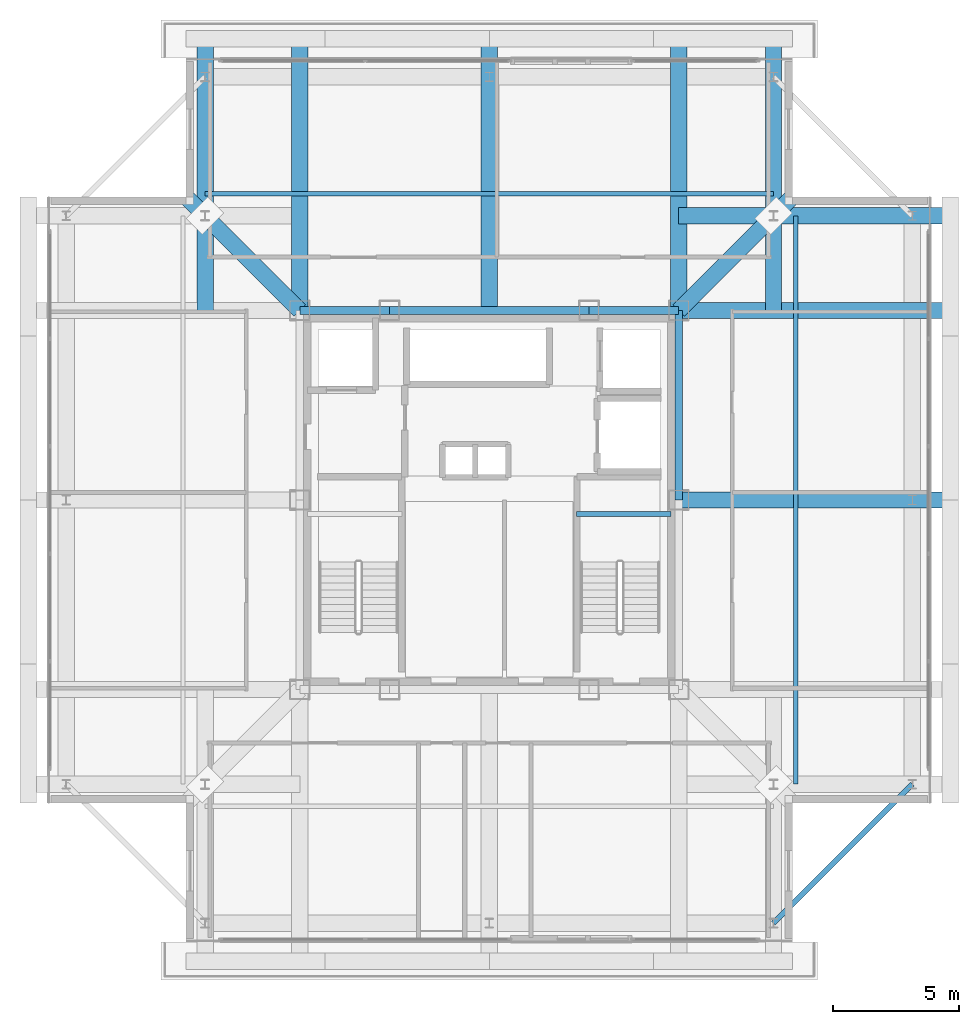
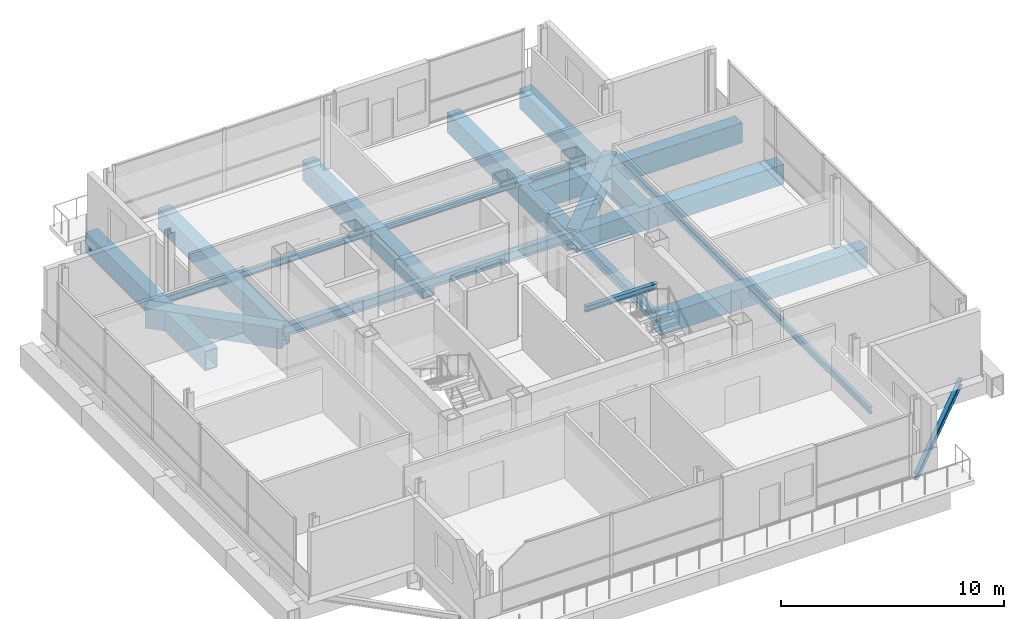
# One storey, part 5 of 15: 18 beams.
"""IFC4 building model written with IfcOpenShell, lengths in metres."""

import ifcopenshell
import ifcopenshell.guid

model = None  # the IFC model being written
_history = None  # IfcOwnerHistory: only IFC2X3 demands one
_inside = {}  # id of a spatial element -> (the spatial element, [elements in it])
_under = {}  # id of a project, library or spatial element -> (it, [spatial elements below it])
_declared = {}  # id of a project -> (the project, [libraries it declares])
_typed = {}  # id of a type object -> (the type object, [elements of that type])
_made_of = {}  # id of a material, layer set ... -> (it, [elements and type objects made of it])


def new_model(schema):
    """Start an empty IFC model of exactly this schema.

    Asked for "IFC4X3", IfcOpenShell would pick the latest addendum, in which some entities
    have other attributes; the version numbers below select the first issue.
    IFC2X3 requires an IfcOwnerHistory on every rooted entity: one is made here for all.
    """
    global model, _history
    if schema == "IFC4X3":
        model = ifcopenshell.file(schema_version=(4, 3, 0, 0))
    else:
        model = ifcopenshell.file(schema=schema)
    _inside.clear()
    _under.clear()
    _declared.clear()
    _typed.clear()
    _made_of.clear()
    _history = None
    if model.schema == "IFC2X3":
        org = make("IfcOrganization", Name="unknown")
        user = make(
            "IfcPersonAndOrganization",
            ThePerson=make("IfcPerson", FamilyName="unknown"),
            TheOrganization=org,
        )
        app = make(
            "IfcApplication",
            ApplicationDeveloper=org,
            Version="unknown",
            ApplicationFullName="unknown",
            ApplicationIdentifier="unknown",
        )
        _history = make(
            "IfcOwnerHistory",
            OwningUser=user,
            OwningApplication=app,
            ChangeAction="ADDED",
            CreationDate=0,
        )
    return model


def make(cls, **values):
    """One entity of the class cls with the attributes given. An attribute that is None is left unset."""
    return model.create_entity(
        cls, **{name: value for name, value in values.items() if value is not None}
    )


def rooted(cls, **values):
    """An entity with a GlobalId (a new one), such as an element, a storey or a relation."""
    return make(cls, GlobalId=ifcopenshell.guid.new(), OwnerHistory=_history, **values)


def si_unit(unit_type, name, prefix=None):
    """IfcSIUnit, for example si_unit("LENGTHUNIT", "METRE", prefix="MILLI")."""
    return make("IfcSIUnit", UnitType=unit_type, Prefix=prefix, Name=name)


def assignment(units):
    """IfcUnitAssignment: the units of a project."""
    return None if units is None else make("IfcUnitAssignment", Units=units)


def point(xyz):
    """IfcCartesianPoint."""
    return None if xyz is None else make("IfcCartesianPoint", Coordinates=xyz)


def direction(xyz):
    """IfcDirection."""
    return None if xyz is None else make("IfcDirection", DirectionRatios=xyz)


def frame(location, z_axis=None, x_axis=None):
    """IfcAxis2Placement3D, a coordinate frame: its origin and axes. An axis left out is left unset."""
    return make(
        "IfcAxis2Placement3D",
        Location=point(location),
        Axis=direction(z_axis),
        RefDirection=direction(x_axis),
    )


def frame_2d(location, x_axis=None):
    """IfcAxis2Placement2D, a coordinate frame in the plane: its origin and x axis."""
    return make(
        "IfcAxis2Placement2D", Location=point(location), RefDirection=direction(x_axis)
    )


def origin():
    """The frame at (0, 0, 0) with its axes left unset."""
    return frame((0.0, 0.0, 0.0))


def origin_2d():
    """The frame at (0, 0) in the plane with its x axis left unset."""
    return frame_2d((0.0, 0.0))


def place(relative_to, where):
    """IfcLocalPlacement: puts the frame where relative to a parent placement (None: the world)."""
    return make(
        "IfcLocalPlacement", PlacementRelTo=relative_to, RelativePlacement=where
    )


def context(
    kind, dimensions, precision=None, world=None, true_north=None, identifier=None
):
    """IfcGeometricRepresentationContext, for example the 3D "Model" context."""
    return make(
        "IfcGeometricRepresentationContext",
        ContextIdentifier=identifier,
        ContextType=kind,
        CoordinateSpaceDimension=dimensions,
        Precision=precision,
        WorldCoordinateSystem=world,
        TrueNorth=true_north,
    )


def subcontext(parent, identifier, kind, view, scale=None):
    """IfcGeometricRepresentationSubContext, for example "Body" below "Model"."""
    return make(
        "IfcGeometricRepresentationSubContext",
        ContextIdentifier=identifier,
        ContextType=kind,
        ParentContext=parent,
        TargetScale=scale,
        TargetView=view,
    )


def project(units=None, contexts=None):
    """IfcProject with its units and contexts."""
    return rooted(
        "IfcProject",
        Name="project",
        RepresentationContexts=contexts,
        UnitsInContext=assignment(units),
    )


def spatial(cls, under=None, at=None, **own):
    """A site, building, storey or space (cls), placed at a placement, below another one or the project."""
    s = rooted(cls, ObjectPlacement=at, **own)
    if under is not None:
        _under.setdefault(under.id(), (under, []))[1].append(s)
    return s


def profile(cls, at=None, kind="AREA", **sizes):
    """A parametric profile (cls). Its sizes go by their IFC names, for example OverallWidth=200.0."""
    return make(cls, ProfileType=kind, Position=at, **sizes)


def hollow_rectangle(**sizes):
    """IfcRectangleHollowProfileDef."""
    return profile("IfcRectangleHollowProfileDef", **sizes)


def i_section(**sizes):
    """IfcIShapeProfileDef."""
    return profile("IfcIShapeProfileDef", **sizes)


def extrude(swept, where, along, depth):
    """IfcExtrudedAreaSolid: the profile swept, set in the frame where, extruded along a direction by depth."""
    return make(
        "IfcExtrudedAreaSolid",
        SweptArea=swept,
        Position=where,
        ExtrudedDirection=direction(along),
        Depth=depth,
    )


def shape(context_of_items, identifier, shape_type, items):
    """IfcShapeRepresentation: the items that make up one representation, for example the "Body"."""
    return make(
        "IfcShapeRepresentation",
        ContextOfItems=context_of_items,
        RepresentationIdentifier=identifier,
        RepresentationType=shape_type,
        Items=items,
    )


def material(Name=None, Category=None):
    """IfcMaterial."""
    return make("IfcMaterial", Name=Name, Category=Category)


def material_profile(
    of_material, cross_section, Name=None, Category=None, Priority=None
):
    """IfcMaterialProfile: a cross section and its material."""
    return make(
        "IfcMaterialProfile",
        Name=Name,
        Material=of_material,
        Profile=cross_section,
        Priority=Priority,
        Category=Category,
    )


def profile_set(profiles, Name=None, composite=None):
    """IfcMaterialProfileSet."""
    return make(
        "IfcMaterialProfileSet",
        Name=Name,
        MaterialProfiles=profiles,
        CompositeProfile=composite,
    )


def made_of(thing, what):
    """Note that an element or type object is made of a material, layer set ...; save() writes the relation."""
    if what is not None:
        _made_of.setdefault(what.id(), (what, []))[1].append(thing)
    return thing


def type_object(cls, material=None, **own):
    """A type object (cls), such as IfcWallType, which elements share."""
    return made_of(rooted(cls, **own), material)


def element(
    cls,
    number,
    at=None,
    inside=None,
    cuts=None,
    type_object=None,
    material=None,
    context=None,
    identifier="Body",
    shape_type=None,
    held_by="IfcProductDefinitionShape",
    body=None,
    shapes=None,
    **own,
):
    """One element of the class cls, such as IfcWall. Its Tag is "e" and its number.

    at: its placement. inside: the storey or other place that contains it. cuts: it is an
    opening in that element (IfcRelVoidsElement). A single representation is given by context,
    identifier, shape_type and body (its items); several are given by shapes. held_by: the class
    of the entity that holds the representations. save() writes the other relations.
    """
    e = rooted(cls, Tag="e%d" % number, ObjectPlacement=at, **own)
    if body is not None:
        shapes = [shape(context, identifier, shape_type, body)]
    if shapes is not None:
        e.Representation = make(held_by, Representations=shapes)
    if inside is not None:
        _inside.setdefault(inside.id(), (inside, []))[1].append(e)
    if cuts is not None:
        rooted(
            "IfcRelVoidsElement", RelatingBuildingElement=cuts, RelatedOpeningElement=e
        )
    if type_object is not None:
        _typed.setdefault(type_object.id(), (type_object, []))[1].append(e)
    return made_of(e, material)


def aggregate(whole, parts):
    """IfcRelAggregates: a whole, such as a stair, and the parts it consists of."""
    return rooted("IfcRelAggregates", RelatingObject=whole, RelatedObjects=parts)


def save(model, path):
    """Write the relations noted so far, then the file.

    IfcRelAggregates (storeys below a building ...), IfcRelContainedInSpatialStructure (elements
    in a storey), IfcRelDefinesByType, IfcRelAssociatesMaterial and IfcRelDeclares: one each for
    every whole, place, type object, material and project.
    """
    for whole, parts in _under.values():
        aggregate(whole, parts)
    for where, things in _inside.values():
        rooted(
            "IfcRelContainedInSpatialStructure",
            RelatedElements=things,
            RelatingStructure=where,
        )
    for kind, things in _typed.values():
        rooted("IfcRelDefinesByType", RelatedObjects=things, RelatingType=kind)
    for what, things in _made_of.values():
        rooted("IfcRelAssociatesMaterial", RelatedObjects=things, RelatingMaterial=what)
    for by, libraries in _declared.values():
        rooted("IfcRelDeclares", RelatingContext=by, RelatedDefinitions=libraries)
    model.write(path)


model = new_model("IFC4")

# Units and contexts
model_context = context("Model", 3, precision=1e-05, world=origin(), true_north=direction((0.0, 1.0)))
body_context = subcontext(model_context, "Body", "Model", "MODEL_VIEW")
ifc_project = project(units=[si_unit("LENGTHUNIT", "METRE"), si_unit("AREAUNIT", "SQUARE_METRE"), si_unit("VOLUMEUNIT", "CUBIC_METRE"), si_unit("PLANEANGLEUNIT", "RADIAN"), si_unit("MASSUNIT", "GRAM", prefix="KILO")], contexts=[model_context])

# Site, building, storey
site_placement = place(None, origin())
site = spatial("IfcSite", under=ifc_project, at=site_placement, CompositionType="ELEMENT")
building_placement = place(site_placement, origin())
building = spatial("IfcBuilding", under=site, at=building_placement, Name="Trevonay Congress Spire", CompositionType="ELEMENT")
storey_placement = place(building_placement, frame((0.0, 0.0, 300.800048828125)))
storey = spatial("IfcBuildingStorey", under=building, at=storey_placement, Name="L79", CompositionType="ELEMENT", Elevation=300.800048828125)

# Beams
ifc_material = material(Name="Steel ASTM A572 Grade 50", Category="steel")
ifc_material_profile_1 = material_profile(ifc_material, i_section(OverallWidth=0.31201171875, OverallDepth=0.54296875, WebThickness=0.0126953125, FlangeThickness=0.020263671875, FilletRadius=0.014892578125, at=origin_2d()), Name="W530x150")
ifc_profile_set_1 = profile_set([ifc_material_profile_1], Name="Steel ASTM A572 Grade 50")
beam_type_1 = type_object("IfcBeamType", Name="BM-GIRD-W530X150", PredefinedType="BEAM", material=ifc_profile_set_1)
beam_1_placement = place(storey_placement, frame((-7.5, 7.5, -0.671630859375), z_axis=(1.0, 0.0, 0.0), x_axis=(0.0, 1.0, 0.0)))
element("IfcBeam", 1, at=beam_1_placement, inside=storey, type_object=beam_type_1, Name="L79 structural beam BM-L79-CR-N1", PredefinedType="BEAM", context=body_context, shape_type="SweptSolid", body=[
    extrude(i_section(OverallWidth=0.31201171875, OverallDepth=0.54296875, WebThickness=0.0126953125, FlangeThickness=0.020263671875, FilletRadius=0.014892578125, at=origin_2d()), origin(), (0.0, 0.0, 1.0), 3.550048828125),
])
beam_2_placement = place(storey_placement, frame((-3.949951171875, 7.5, -0.671630859375), z_axis=(1.0, 0.0, 0.0), x_axis=(0.0, 1.0, 0.0)))
element("IfcBeam", 2, at=beam_2_placement, inside=storey, type_object=beam_type_1, Name="L79 structural beam BM-L79-CR-N2", PredefinedType="BEAM", context=body_context, shape_type="SweptSolid", body=[
    extrude(i_section(OverallWidth=0.31201171875, OverallDepth=0.54296875, WebThickness=0.0126953125, FlangeThickness=0.020263671875, FilletRadius=0.014892578125, at=origin_2d()), origin(), (0.0, 0.0, 1.0), 7.89990234375),
])
beam_3_placement = place(storey_placement, frame((3.949951171875, 7.5, -0.671630859375), z_axis=(1.0, 0.0, 0.0), x_axis=(0.0, 1.0, 0.0)))
element("IfcBeam", 3, at=beam_3_placement, inside=storey, type_object=beam_type_1, Name="L79 structural beam BM-L79-CR-N3", PredefinedType="BEAM", context=body_context, shape_type="SweptSolid", body=[
    extrude(i_section(OverallWidth=0.31201171875, OverallDepth=0.54296875, WebThickness=0.0126953125, FlangeThickness=0.020263671875, FilletRadius=0.014892578125, at=origin_2d()), origin(), (0.0, 0.0, 1.0), 3.550048828125),
])
beam_4_placement = place(storey_placement, frame((7.5, 0.0, -0.671630859375), z_axis=(0.0, 1.0, 0.0), x_axis=(-1.0, 0.0, 0.0)))
element("IfcBeam", 4, at=beam_4_placement, inside=storey, type_object=beam_type_1, Name="L79 structural beam BM-L79-CR-E2", PredefinedType="BEAM", context=body_context, shape_type="SweptSolid", body=[
    extrude(i_section(OverallWidth=0.31201171875, OverallDepth=0.54296875, WebThickness=0.0126953125, FlangeThickness=0.020263671875, FilletRadius=0.014892578125, at=origin_2d()), origin(), (0.0, 0.0, 1.0), 7.5),
])
ifc_material_profile_2 = material_profile(ifc_material, hollow_rectangle(XDim=0.64990234375, YDim=1.10009765625, WallThickness=0.044921875, at=origin_2d()), Name="BOX 1100x650x45")
ifc_profile_set_2 = profile_set([ifc_material_profile_2], Name="Steel ASTM A572 Grade 50")
beam_type_2 = type_object("IfcBeamType", Name="BM-XFER-BOX1100", PredefinedType="BEAM", material=ifc_profile_set_2)
for number, where, z_axis, x_axis, name in (
    (5, (7.5, 7.5, -0.949951171875), (0.707106781187, 0.707106781187, 0.0), (-0.707106781187, 0.707106781187, 0.0), "L79 structural beam BM-L79-CDNE"),
    (6, (-7.5, 7.5, -0.949951171875), (-0.707106781187, 0.707106781187, 0.0), (-0.707106781187, -0.707106781187, 0.0), "L79 structural beam BM-L79-CDNW"),
):
    element("IfcBeam", number, at=place(storey_placement, frame(where, z_axis=z_axis, x_axis=x_axis)), inside=storey, type_object=beam_type_2, Name=name, PredefinedType="BEAM", context=body_context, shape_type="SweptSolid", body=[
        extrude(hollow_rectangle(XDim=0.64990234375, YDim=1.10009765625, WallThickness=0.044921875, at=origin_2d()), origin(), (0.0, 0.0, 1.0), 6.364013671875),
    ])
for number, where, z_axis, x_axis, name in (
    (7, (7.5, 7.5, -0.949951171875), (1.0, 0.0, 0.0), (0.0, 1.0, 0.0), "L79 structural beam XSPN-L79-CX-NE"),
    (8, (-7.5, 7.5, -0.949951171875), (0.0, 1.0, 0.0), (-1.0, 0.0, 0.0), "L79 structural beam XSPN-L79-CY-NW"),
    (9, (7.5, 7.5, -0.949951171875), (0.0, 1.0, 0.0), (-1.0, 0.0, 0.0), "L79 structural beam XSPN-L79-CY-NE"),
    (10, (-11.25, 7.5, -0.949951171875), (0.0, 1.0, 0.0), (-1.0, 0.0, 0.0), "L79 structural beam XFER-L79-N0"),
    (11, (0.0, 7.5, -0.949951171875), (0.0, 1.0, 0.0), (-1.0, 0.0, 0.0), "L79 structural beam XFER-L79-N1"),
    (12, (7.5, 0.0, -0.949951171875), (1.0, 0.0, 0.0), (0.0, 1.0, 0.0), "L79 structural beam XFER-L79-E1"),
    (13, (11.25, 7.5, -0.949951171875), (0.0, 1.0, 0.0), (-1.0, 0.0, 0.0), "L79 structural beam XFER-L79-N2"),
    (14, (7.5, 11.25, -0.949951171875), (1.0, 0.0, 0.0), (0.0, 1.0, 0.0), "L79 structural beam XFER-L79-E2"),
):
    element("IfcBeam", number, at=place(storey_placement, frame(where, z_axis=z_axis, x_axis=x_axis)), inside=storey, type_object=beam_type_2, Name=name, PredefinedType="BEAM", context=body_context, shape_type="SweptSolid", body=[
        extrude(hollow_rectangle(XDim=0.64990234375, YDim=1.10009765625, WallThickness=0.044921875, at=origin_2d()), origin(), (0.0, 0.0, 1.0), 10.75),
    ])
ifc_material_profile_3 = material_profile(ifc_material, i_section(OverallWidth=0.172119140625, OverallDepth=0.35791015625, WebThickness=0.0078125, FlangeThickness=0.01318359375, FilletRadius=0.011962890625, at=origin_2d()), Name="W360x57.8")
ifc_profile_set_3 = profile_set([ifc_material_profile_3], Name="Steel ASTM A572 Grade 50")
beam_type_3 = type_object("IfcBeamType", Name="JS-COMP-W360X57", PredefinedType="JOIST", material=ifc_profile_set_3)
for number, where, z_axis, x_axis, name in (
    (15, (-11.25, 12.125, -0.5791015625), (1.0, 0.0, 0.0), (0.0, 1.0, 0.0), "L79 structural beam JS-L79-RING-N"),
    (16, (12.125, -11.25, -0.5791015625), (0.0, 1.0, 0.0), (-1.0, 0.0, 0.0), "L79 structural beam JS-L79-RING-E"),
):
    element("IfcBeam", number, at=place(storey_placement, frame(where, z_axis=z_axis, x_axis=x_axis)), inside=storey, type_object=beam_type_3, Name=name, PredefinedType="JOIST", context=body_context, shape_type="SweptSolid", body=[
        extrude(i_section(OverallWidth=0.172119140625, OverallDepth=0.35791015625, WebThickness=0.0078125, FlangeThickness=0.01318359375, FilletRadius=0.011962890625, at=origin_2d()), origin(), (0.0, 0.0, 1.0), 22.5),
    ])
ifc_material_profile_4 = material_profile(ifc_material, i_section(OverallWidth=0.2041015625, OverallDepth=0.305908203125, WebThickness=0.008544921875, FlangeThickness=0.0146484375, FilletRadius=0.010986328125, at=origin_2d()), Name="W310x67")
ifc_profile_set_4 = profile_set([ifc_material_profile_4], Name="Steel ASTM A572 Grade 50")
beam_type_4 = type_object("IfcBeamType", Name="LN-CORE-W310X67", PredefinedType="LINTEL", material=ifc_profile_set_4)
beam_5_placement = place(storey_placement, frame((3.449951171875, -0.550048828125, 1.546875), z_axis=(1.0, 0.0, 0.0), x_axis=(0.0, 1.0, 0.0)))
element("IfcBeam", 17, at=beam_5_placement, inside=storey, type_object=beam_type_4, Name="L79 structural beam BM-L79-HL-ST2", PredefinedType="LINTEL", context=body_context, shape_type="SweptSolid", body=[
    extrude(i_section(OverallWidth=0.2041015625, OverallDepth=0.305908203125, WebThickness=0.008544921875, FlangeThickness=0.0146484375, FilletRadius=0.010986328125, at=origin_2d()), origin(), (0.0, 0.0, 1.0), 3.75),
])
ifc_material_profile_5 = material_profile(ifc_material, i_section(OverallWidth=0.205078125, OverallDepth=0.35400390625, WebThickness=0.009521484375, FlangeThickness=0.016845703125, FilletRadius=0.011962890625, at=origin_2d()), Name="W360x79")
ifc_profile_set_5 = profile_set([ifc_material_profile_5], Name="Steel ASTM A572 Grade 50")
beam_type_5 = type_object("IfcBeamType", Name="SPB-HSS350", PredefinedType="SPANDREL", material=ifc_profile_set_5)
beam_6_placement = place(storey_placement, frame((11.25, -16.75, -0.5771484375), z_axis=(0.707106781187, 0.707106781187, 0.0), x_axis=(-0.707106781187, 0.707106781187, 0.0)))
element("IfcBeam", 18, at=beam_6_placement, inside=storey, type_object=beam_type_5, Name="L79 structural beam SPB-L79-SE", PredefinedType="SPANDREL", context=body_context, shape_type="SweptSolid", body=[
    extrude(i_section(OverallWidth=0.205078125, OverallDepth=0.35400390625, WebThickness=0.009521484375, FlangeThickness=0.016845703125, FilletRadius=0.011962890625, at=origin_2d()), origin(), (0.0, 0.0, 1.0), 7.778076171875),
])

save(model, "model.ifc")
